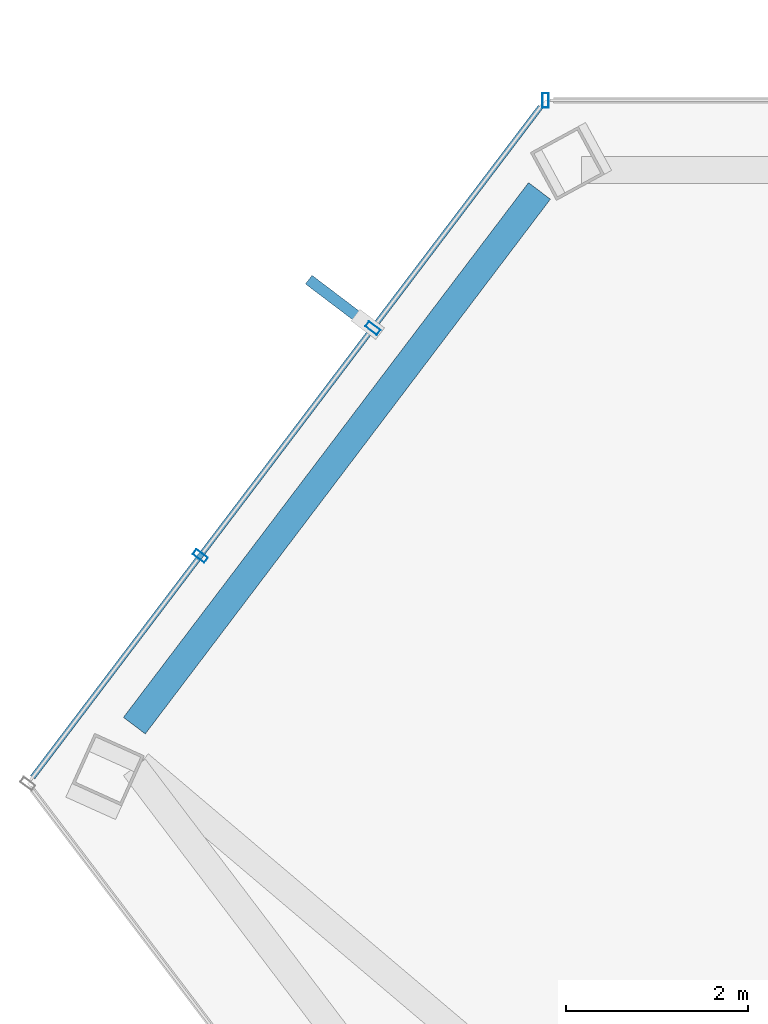
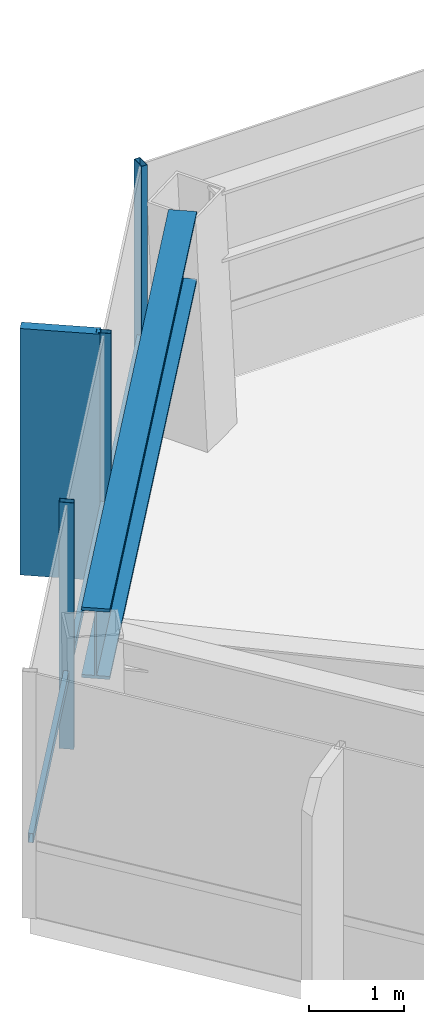
# One storey, part 12 of 27: 5 members, 1 beam, 2 elements without a shape of their own.
"""IFC4 building model written with IfcOpenShell, lengths in metres."""

from ifc_helpers import new_model, si_unit, direction, frame, origin, origin_2d, place, context, subcontext, project, spatial, rectangle, hollow_rectangle, i_section, extrude, material, layer, layer_set, material_profile, profile_set, type_object, element, aggregate, save


model = new_model("IFC4")

# Units and contexts
model_context = context("Model", 3, precision=1e-05, world=origin(), true_north=direction((0.0, 1.0)))
body_context = subcontext(model_context, "Body", "Model", "MODEL_VIEW")
ifc_project = project(units=[si_unit("LENGTHUNIT", "METRE"), si_unit("AREAUNIT", "SQUARE_METRE"), si_unit("VOLUMEUNIT", "CUBIC_METRE"), si_unit("PLANEANGLEUNIT", "RADIAN"), si_unit("MASSUNIT", "GRAM", prefix="KILO")], contexts=[model_context])

# Site, building, storey
site_placement = place(None, origin())
site = spatial("IfcSite", under=ifc_project, at=site_placement, CompositionType="ELEMENT")
building_placement = place(site_placement, origin())
building = spatial("IfcBuilding", under=site, at=building_placement, Name="Zarrinselat Tower", CompositionType="ELEMENT")
storey_placement = place(building_placement, frame((0.0, 0.0, 225.760009765625)))
storey = spatial("IfcBuildingStorey", under=building, at=storey_placement, Name="L56", CompositionType="ELEMENT", Elevation=225.760009765625)

# Beam
ifc_material_1 = material(Name="Steel S460M", Category="steel")
ifc_material_profile_1 = material_profile(ifc_material_1, i_section(OverallWidth=0.302001953125, OverallDepth=0.909912109375, WebThickness=0.02099609375, FlangeThickness=0.0400390625, at=origin_2d()), Name="HEM 900")
ifc_profile_set_1 = profile_set([ifc_material_profile_1], Name="Steel S460M")
beam_type = type_object("IfcBeamType", Name="BM-HEM900", PredefinedType="BEAM", material=ifc_profile_set_1)
beam_placement = place(storey_placement, frame((16.30078125, 41.4111328125, 2.72509765625), z_axis=(0.603848777662, 0.797098898328, 0.0), x_axis=(-0.797098898328, 0.603848777662, 0.0)))
element("IfcBeam", 1, at=beam_placement, inside=storey, type_object=beam_type, Name="L56 Perimeter Spandrel Girder SP05", PredefinedType="BEAM", context=body_context, shape_type="SweptSolid", body=[
    extrude(i_section(OverallWidth=0.302001953125, OverallDepth=0.909912109375, WebThickness=0.02099609375, FlangeThickness=0.0400390625, at=origin_2d()), origin(), (0.0, 0.0, 1.0), 7.385498046875),
])

# Curtain wall, member
ifc_material_2 = material(Name="Extruded Aluminium Alloy EN AW-6063 T6", Category="aluminium")
ifc_layer = layer(ifc_material_2, 0.169921875)
ifc_layer_set = layer_set([ifc_layer], Name="Extruded Aluminium Alloy EN AW-6063 T6")
curtain_wall_type = type_object("IfcCurtainWallType", Name="CWS-RES", PredefinedType="NOTDEFINED", material=ifc_layer_set)
curtain_wall_1_placement = place(storey_placement, origin())
curtain_wall_1 = element("IfcCurtainWall", 2, at=curtain_wall_1_placement, inside=storey, type_object=curtain_wall_type, Name="L56 Unitised Curtain Wall CW-L56-E01", PredefinedType="NOTDEFINED")
ifc_material_3 = material(Name="Extruded Aluminium Alloy EN AW-6063 T6", Category="aluminium")
ifc_material_profile_2 = material_profile(ifc_material_3, hollow_rectangle(XDim=0.070068359375, YDim=0.159912109375, WallThickness=0.00390625, at=origin_2d()), Name="RHS 160x70x4")
ifc_profile_set_2 = profile_set([ifc_material_profile_2], Name="Extruded Aluminium Alloy EN AW-6063 T6")
member_type_1 = type_object("IfcMemberType", Name="MEM-CW-MUL2", PredefinedType="MULLION", material=ifc_profile_set_2)
member_1_placement = place(storey_placement, frame((20.825439453125, 48.29443359375, 0.0), z_axis=(0.0, 0.0, 1.0), x_axis=(-1.0, 0.0, 0.0)))
member_1 = element("IfcMember", 3, at=member_1_placement, type_object=member_type_1, Name="CW-L56-E01 Mullion 11", PredefinedType="MULLION", context=body_context, shape_type="SweptSolid", body=[
    extrude(hollow_rectangle(XDim=0.070068359375, YDim=0.159912109375, WallThickness=0.00390625, at=origin_2d()), origin(), (0.0, 0.0, 1.0), 3.179931640625),
])
aggregate(curtain_wall_1, [member_1])

# Curtain wall, members
curtain_wall_2_placement = place(storey_placement, origin())
curtain_wall_2 = element("IfcCurtainWall", 4, at=curtain_wall_2_placement, inside=storey, type_object=curtain_wall_type, Name="L56 Unitised Curtain Wall CW-L56-E02", PredefinedType="NOTDEFINED")
member_2_placement = place(storey_placement, frame((18.92578125, 45.786865234375, 0.0), z_axis=(0.0, 0.0, 1.0), x_axis=(-0.603865236347, -0.79708642965, 0.0)))
member_2 = element("IfcMember", 5, at=member_2_placement, type_object=member_type_1, Name="CW-L56-E02 Mullion 1", PredefinedType="MULLION", context=body_context, shape_type="SweptSolid", body=[
    extrude(hollow_rectangle(XDim=0.070068359375, YDim=0.159912109375, WallThickness=0.00390625, at=origin_2d()), origin(), (0.0, 0.0, 1.0), 3.179931640625),
])
member_3_placement = place(storey_placement, frame((17.026123046875, 43.279541015625, 0.0), z_axis=(0.0, 0.0, 1.0), x_axis=(-0.603865236347, -0.79708642965, 0.0)))
member_3 = element("IfcMember", 6, at=member_3_placement, type_object=member_type_1, Name="CW-L56-E02 Mullion 2", PredefinedType="MULLION", context=body_context, shape_type="SweptSolid", body=[
    extrude(hollow_rectangle(XDim=0.070068359375, YDim=0.159912109375, WallThickness=0.00390625, at=origin_2d()), origin(), (0.0, 0.0, 1.0), 3.179931640625),
])
ifc_material_4 = material(Name="Extruded Aluminium Alloy EN AW-6063 T6", Category="aluminium")
ifc_material_profile_3 = material_profile(ifc_material_4, hollow_rectangle(XDim=0.06005859375, YDim=0.1201171875, WallThickness=0.00390625, at=origin_2d()), Name="RHS 120x60x4")
ifc_profile_set_3 = profile_set([ifc_material_profile_3], Name="Extruded Aluminium Alloy EN AW-6063 T6")
member_type_2 = type_object("IfcMemberType", Name="MEM-CW-TRN2", PredefinedType="USERDEFINED", material=ifc_profile_set_3)
member_4_placement = place(storey_placement, frame((20.771240234375, 48.22265625, 0.949951171875), z_axis=(-0.603874951459, -0.797079069478, 0.0), x_axis=(0.797079069478, -0.603874951459, 0.0)))
member_4 = element("IfcMember", 7, at=member_4_placement, type_object=member_type_2, Name="CW-L56-E02 Transom 1", ObjectType="TRANSOM", PredefinedType="USERDEFINED", context=body_context, shape_type="SweptSolid", body=[
    extrude(hollow_rectangle(XDim=0.06005859375, YDim=0.1201171875, WallThickness=0.00390625, at=origin_2d()), origin(), (0.0, 0.0, 1.0), 9.25732421875),
])
ifc_material_5 = material(Name="Honed Cream Travertine Stone", Category="masonry")
ifc_material_profile_4 = material_profile(ifc_material_5, rectangle(XDim=0.1201171875, YDim=0.85009765625, at=origin_2d()), Name="FIN 850x120")
ifc_profile_set_4 = profile_set([ifc_material_profile_4], Name="Honed Cream Travertine Stone")
member_type_3 = type_object("IfcMemberType", Name="MEM-STONE-FIN", PredefinedType="USERDEFINED", material=ifc_profile_set_4)
member_5_placement = place(storey_placement, frame((18.55908203125, 46.064697265625, 0.0), z_axis=(0.0, 0.0, 1.0), x_axis=(0.603865236347, 0.79708642965, 0.0)))
member_5 = element("IfcMember", 8, at=member_5_placement, type_object=member_type_3, Name="L56 Stone Shading Fin CW-L56-E02-01", ObjectType="FIN", PredefinedType="USERDEFINED", context=body_context, shape_type="SweptSolid", body=[
    extrude(rectangle(XDim=0.1201171875, YDim=0.85009765625, at=origin_2d()), origin(), (0.0, 0.0, 1.0), 3.179931640625),
])
aggregate(curtain_wall_2, [member_2, member_5, member_3, member_4])

save(model, "model.ifc")
